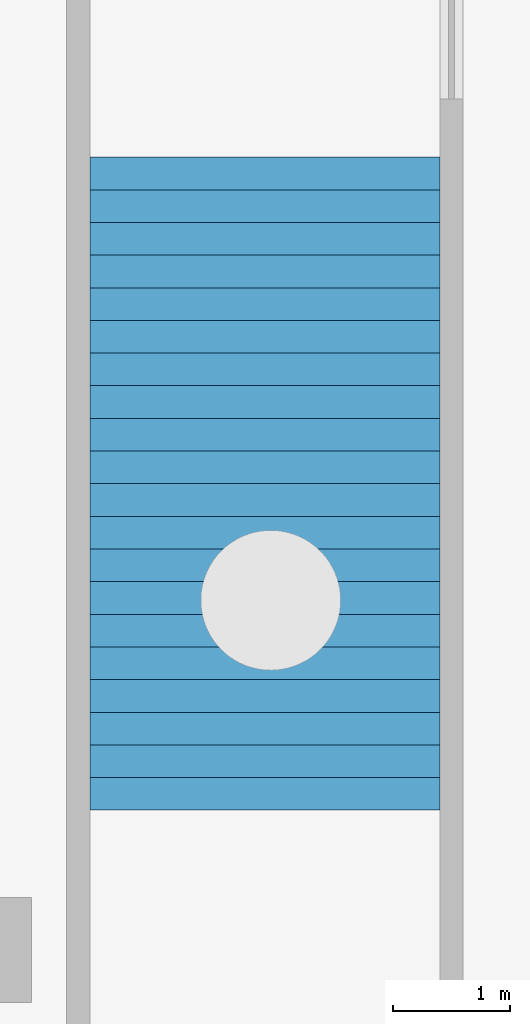
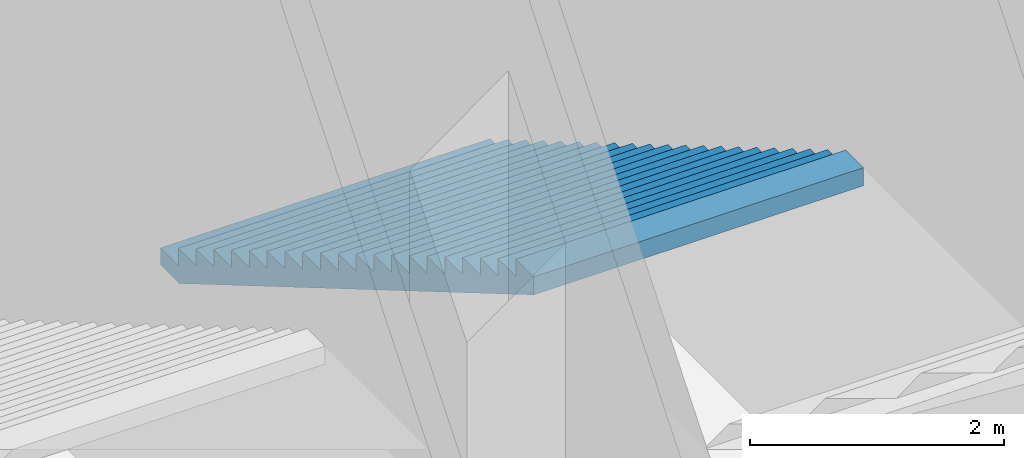
# One storey, part 14 of 16: 1 stair flight, 1 element without a shape of its own.
"""IFC4 building model written with IfcOpenShell, lengths in metres."""

from ifc_helpers import new_model, si_unit, direction, frame, origin, place, context, subcontext, project, spatial, faceted_brep, material, type_object, element, aggregate, save


model = new_model("IFC4")

# Units and contexts
model_context = context("Model", 3, precision=1e-05, world=origin(), true_north=direction((0.0, 1.0)))
body_context = subcontext(model_context, "Body", "Model", "MODEL_VIEW")
ifc_project = project(units=[si_unit("LENGTHUNIT", "METRE"), si_unit("AREAUNIT", "SQUARE_METRE"), si_unit("VOLUMEUNIT", "CUBIC_METRE"), si_unit("PLANEANGLEUNIT", "RADIAN"), si_unit("MASSUNIT", "GRAM", prefix="KILO")], contexts=[model_context])

# Site, building, storey
site_placement = place(None, origin())
site = spatial("IfcSite", under=ifc_project, at=site_placement, CompositionType="ELEMENT")
building_placement = place(site_placement, origin())
building = spatial("IfcBuilding", under=site, at=building_placement, Name="Ogive Plaza Stadium", CompositionType="ELEMENT")
storey_placement = place(building_placement, frame((0.0, 0.0, -11.39990234375)))
storey = spatial("IfcBuildingStorey", under=building, at=storey_placement, Name="B2", CompositionType="ELEMENT", Elevation=-11.39990234375)

# Stair, stair flight
ifc_material_1 = material(Name="Concrete C40/50", Category="concrete")
stair_type = type_object("IfcStairType", Name="Station stair 3000", PredefinedType="TWO_STRAIGHT_RUN_STAIR", material=ifc_material_1)
stair_placement = place(storey_placement, origin())
stair = element("IfcStair", 1, at=stair_placement, inside=storey, type_object=stair_type, Name="Stair PS4", PredefinedType="TWO_STRAIGHT_RUN_STAIR")
ifc_material_2 = material(Name="Concrete C40/50", Category="concrete")
stair_flight_type = type_object("IfcStairFlightType", Name="Station stair flight 3000", PredefinedType="STRAIGHT", material=ifc_material_2)
stair_flight_placement = place(storey_placement, frame((109.949951171875, 42.800048828125, 0.0), z_axis=(0.0, 0.0, 1.0), x_axis=(0.0, -1.0, 0.0)))
stair_flight = element("IfcStairFlight", 2, at=stair_flight_placement, type_object=stair_flight_type, Name="PS4 flight 1", NumberOfRisers=21, NumberOfTreads=20, PredefinedType="STRAIGHT", RiserHeight=0.164285714, TreadLength=0.28, context=body_context, shape_type="Brep", body=[
    faceted_brep([(0.296142578125, -1.5, 0.0), (5.8798828125, -1.5, 3.276123046875), (5.8798828125, -1.5, 3.449951171875), (5.60009765625, -1.5, 3.449951171875), (5.60009765625, -1.5, 3.28564453125), (5.320068359375, -1.5, 3.28564453125), (5.320068359375, -1.5, 3.121337890625), (5.0400390625, -1.5, 3.121337890625), (5.0400390625, -1.5, 2.95703125), (4.760009765625, -1.5, 2.95703125), (4.760009765625, -1.5, 2.79296875), (4.47998046875, -1.5, 2.79296875), (4.47998046875, -1.5, 2.628662109375), (4.199951171875, -1.5, 2.628662109375), (4.199951171875, -1.5, 2.46435546875), (3.919921875, -1.5, 2.46435546875), (3.919921875, -1.5, 2.300048828125), (3.639892578125, -1.5, 2.300048828125), (3.639892578125, -1.5, 2.1357421875), (3.360107421875, -1.5, 2.1357421875), (3.360107421875, -1.5, 1.971435546875), (3.080078125, -1.5, 1.971435546875), (3.080078125, -1.5, 1.80712890625), (2.800048828125, -1.5, 1.80712890625), (2.800048828125, -1.5, 1.642822265625), (2.52001953125, -1.5, 1.642822265625), (2.52001953125, -1.5, 1.478515625), (2.239990234375, -1.5, 1.478515625), (2.239990234375, -1.5, 1.314208984375), (1.9599609375, -1.5, 1.314208984375), (1.9599609375, -1.5, 1.14990234375), (1.679931640625, -1.5, 1.14990234375), (1.679931640625, -1.5, 0.985595703125), (1.39990234375, -1.5, 0.985595703125), (1.39990234375, -1.5, 0.821533203125), (1.1201171875, -1.5, 0.821533203125), (1.1201171875, -1.5, 0.6572265625), (0.840087890625, -1.5, 0.6572265625), (0.840087890625, -1.5, 0.492919921875), (0.56005859375, -1.5, 0.492919921875), (0.56005859375, -1.5, 0.32861328125), (0.280029296875, -1.5, 0.32861328125), (0.280029296875, -1.5, 0.164306640625), (0.0, -1.5, 0.164306640625), (0.0, -1.5, 0.0), (0.0, 1.5, 0.0), (0.0, 1.5, 0.164306640625), (0.280029296875, 1.5, 0.164306640625), (0.280029296875, 1.5, 0.32861328125), (0.56005859375, 1.5, 0.32861328125), (0.56005859375, 1.5, 0.492919921875), (0.840087890625, 1.5, 0.492919921875), (0.840087890625, 1.5, 0.6572265625), (1.1201171875, 1.5, 0.6572265625), (1.1201171875, 1.5, 0.821533203125), (1.39990234375, 1.5, 0.821533203125), (1.39990234375, 1.5, 0.985595703125), (1.679931640625, 1.5, 0.985595703125), (1.679931640625, 1.5, 1.14990234375), (1.9599609375, 1.5, 1.14990234375), (1.9599609375, 1.5, 1.314208984375), (2.239990234375, 1.5, 1.314208984375), (2.239990234375, 1.5, 1.478515625), (2.52001953125, 1.5, 1.478515625), (2.52001953125, 1.5, 1.642822265625), (2.800048828125, 1.5, 1.642822265625), (2.800048828125, 1.5, 1.80712890625), (3.080078125, 1.5, 1.80712890625), (3.080078125, 1.5, 1.971435546875), (3.360107421875, 1.5, 1.971435546875), (3.360107421875, 1.5, 2.1357421875), (3.639892578125, 1.5, 2.1357421875), (3.639892578125, 1.5, 2.300048828125), (3.919921875, 1.5, 2.300048828125), (3.919921875, 1.5, 2.46435546875), (4.199951171875, 1.5, 2.46435546875), (4.199951171875, 1.5, 2.628662109375), (4.47998046875, 1.5, 2.628662109375), (4.47998046875, 1.5, 2.79296875), (4.760009765625, 1.5, 2.79296875), (4.760009765625, 1.5, 2.95703125), (5.0400390625, 1.5, 2.95703125), (5.0400390625, 1.5, 3.121337890625), (5.320068359375, 1.5, 3.121337890625), (5.320068359375, 1.5, 3.28564453125), (5.60009765625, 1.5, 3.28564453125), (5.60009765625, 1.5, 3.449951171875), (5.8798828125, 1.5, 3.449951171875), (5.8798828125, 1.5, 3.276123046875), (0.296142578125, 1.5, 0.0), (0.296142578125, -1.166748046875, 0.0), (5.8798828125, -1.166748046875, 3.276123046875), (0.296142578125, -0.833251953125, 0.0), (5.8798828125, -0.833251953125, 3.276123046875), (0.296142578125, -0.5, 0.0), (5.8798828125, -0.5, 3.276123046875), (0.296142578125, -0.166748046875, 0.0), (5.8798828125, -0.166748046875, 3.276123046875), (0.296142578125, 0.166748046875, 0.0), (5.8798828125, 0.166748046875, 3.276123046875), (0.296142578125, 0.5, 0.0), (5.8798828125, 0.5, 3.276123046875), (0.296142578125, 0.833251953125, 0.0), (5.8798828125, 0.833251953125, 3.276123046875), (0.296142578125, 1.166748046875, 0.0), (5.8798828125, 1.166748046875, 3.276123046875), (5.8798828125, -1.166748046875, 3.449951171875), (5.8798828125, -0.833251953125, 3.449951171875), (5.8798828125, -0.5, 3.449951171875), (5.8798828125, -0.166748046875, 3.449951171875), (5.8798828125, 0.166748046875, 3.449951171875), (5.8798828125, 0.5, 3.449951171875), (5.8798828125, 0.833251953125, 3.449951171875), (5.8798828125, 1.166748046875, 3.449951171875), (5.60009765625, -1.166748046875, 3.449951171875), (5.60009765625, -0.833251953125, 3.449951171875), (5.60009765625, -0.5, 3.449951171875), (5.60009765625, -0.166748046875, 3.449951171875), (5.60009765625, 0.166748046875, 3.449951171875), (5.60009765625, 0.5, 3.449951171875), (5.60009765625, 0.833251953125, 3.449951171875), (5.60009765625, 1.166748046875, 3.449951171875), (5.60009765625, -1.166748046875, 3.28564453125), (5.60009765625, -0.833251953125, 3.28564453125), (5.60009765625, -0.5, 3.28564453125), (5.60009765625, -0.166748046875, 3.28564453125), (5.60009765625, 0.166748046875, 3.28564453125), (5.60009765625, 0.5, 3.28564453125), (5.60009765625, 0.833251953125, 3.28564453125), (5.60009765625, 1.166748046875, 3.28564453125), (5.320068359375, -1.166748046875, 3.28564453125), (5.320068359375, -0.833251953125, 3.28564453125), (5.320068359375, -0.5, 3.28564453125), (5.320068359375, -0.166748046875, 3.28564453125), (5.320068359375, 0.166748046875, 3.28564453125), (5.320068359375, 0.5, 3.28564453125), (5.320068359375, 0.833251953125, 3.28564453125), (5.320068359375, 1.166748046875, 3.28564453125), (5.320068359375, -1.166748046875, 3.121337890625), (5.320068359375, -0.833251953125, 3.121337890625), (5.320068359375, -0.5, 3.121337890625), (5.320068359375, -0.166748046875, 3.121337890625), (5.320068359375, 0.166748046875, 3.121337890625), (5.320068359375, 0.5, 3.121337890625), (5.320068359375, 0.833251953125, 3.121337890625), (5.320068359375, 1.166748046875, 3.121337890625), (5.0400390625, -1.166748046875, 3.121337890625), (5.0400390625, -0.833251953125, 3.121337890625), (5.0400390625, -0.5, 3.121337890625), (5.0400390625, -0.166748046875, 3.121337890625), (5.0400390625, 0.166748046875, 3.121337890625), (5.0400390625, 0.5, 3.121337890625), (5.0400390625, 0.833251953125, 3.121337890625), (5.0400390625, 1.166748046875, 3.121337890625), (5.0400390625, -1.166748046875, 2.95703125), (5.0400390625, -0.833251953125, 2.95703125), (5.0400390625, -0.5, 2.95703125), (5.0400390625, -0.166748046875, 2.95703125), (5.0400390625, 0.166748046875, 2.95703125), (5.0400390625, 0.5, 2.95703125), (5.0400390625, 0.833251953125, 2.95703125), (5.0400390625, 1.166748046875, 2.95703125), (4.760009765625, -1.166748046875, 2.95703125), (4.760009765625, -0.833251953125, 2.95703125), (4.760009765625, -0.5, 2.95703125), (4.760009765625, -0.166748046875, 2.95703125), (4.760009765625, 0.166748046875, 2.95703125), (4.760009765625, 0.5, 2.95703125), (4.760009765625, 0.833251953125, 2.95703125), (4.760009765625, 1.166748046875, 2.95703125), (4.760009765625, -1.166748046875, 2.79296875), (4.760009765625, -0.833251953125, 2.79296875), (4.760009765625, -0.5, 2.79296875), (4.760009765625, -0.166748046875, 2.79296875), (4.760009765625, 0.166748046875, 2.79296875), (4.760009765625, 0.5, 2.79296875), (4.760009765625, 0.833251953125, 2.79296875), (4.760009765625, 1.166748046875, 2.79296875), (4.47998046875, -1.166748046875, 2.79296875), (4.47998046875, -0.833251953125, 2.79296875), (4.47998046875, -0.5, 2.79296875), (4.47998046875, -0.166748046875, 2.79296875), (4.47998046875, 0.166748046875, 2.79296875), (4.47998046875, 0.5, 2.79296875), (4.47998046875, 0.833251953125, 2.79296875), (4.47998046875, 1.166748046875, 2.79296875), (4.47998046875, -1.166748046875, 2.628662109375), (4.47998046875, -0.833251953125, 2.628662109375), (4.47998046875, -0.5, 2.628662109375), (4.47998046875, -0.166748046875, 2.628662109375), (4.47998046875, 0.166748046875, 2.628662109375), (4.47998046875, 0.5, 2.628662109375), (4.47998046875, 0.833251953125, 2.628662109375), (4.47998046875, 1.166748046875, 2.628662109375), (4.199951171875, -1.166748046875, 2.628662109375), (4.199951171875, -0.833251953125, 2.628662109375), (4.199951171875, -0.5, 2.628662109375), (4.199951171875, -0.166748046875, 2.628662109375), (4.199951171875, 0.166748046875, 2.628662109375), (4.199951171875, 0.5, 2.628662109375), (4.199951171875, 0.833251953125, 2.628662109375), (4.199951171875, 1.166748046875, 2.628662109375), (4.199951171875, -1.166748046875, 2.46435546875), (4.199951171875, -0.833251953125, 2.46435546875), (4.199951171875, -0.5, 2.46435546875), (4.199951171875, -0.166748046875, 2.46435546875), (4.199951171875, 0.166748046875, 2.46435546875), (4.199951171875, 0.5, 2.46435546875), (4.199951171875, 0.833251953125, 2.46435546875), (4.199951171875, 1.166748046875, 2.46435546875), (3.919921875, -1.166748046875, 2.46435546875), (3.919921875, -0.833251953125, 2.46435546875), (3.919921875, -0.5, 2.46435546875), (3.919921875, -0.166748046875, 2.46435546875), (3.919921875, 0.166748046875, 2.46435546875), (3.919921875, 0.5, 2.46435546875), (3.919921875, 0.833251953125, 2.46435546875), (3.919921875, 1.166748046875, 2.46435546875), (3.919921875, -1.166748046875, 2.300048828125), (3.919921875, -0.833251953125, 2.300048828125), (3.919921875, -0.5, 2.300048828125), (3.919921875, -0.166748046875, 2.300048828125), (3.919921875, 0.166748046875, 2.300048828125), (3.919921875, 0.5, 2.300048828125), (3.919921875, 0.833251953125, 2.300048828125), (3.919921875, 1.166748046875, 2.300048828125), (3.639892578125, -1.166748046875, 2.300048828125), (3.639892578125, -0.833251953125, 2.300048828125), (3.639892578125, -0.5, 2.300048828125), (3.639892578125, -0.166748046875, 2.300048828125), (3.639892578125, 0.166748046875, 2.300048828125), (3.639892578125, 0.5, 2.300048828125), (3.639892578125, 0.833251953125, 2.300048828125), (3.639892578125, 1.166748046875, 2.300048828125), (3.639892578125, -1.166748046875, 2.1357421875), (3.639892578125, -0.833251953125, 2.1357421875), (3.639892578125, -0.5, 2.1357421875), (3.639892578125, -0.166748046875, 2.1357421875), (3.639892578125, 0.166748046875, 2.1357421875), (3.639892578125, 0.5, 2.1357421875), (3.639892578125, 0.833251953125, 2.1357421875), (3.639892578125, 1.166748046875, 2.1357421875), (3.360107421875, -1.166748046875, 2.1357421875), (3.360107421875, -0.833251953125, 2.1357421875), (3.360107421875, -0.5, 2.1357421875), (3.360107421875, -0.166748046875, 2.1357421875), (3.360107421875, 0.166748046875, 2.1357421875), (3.360107421875, 0.5, 2.1357421875), (3.360107421875, 0.833251953125, 2.1357421875), (3.360107421875, 1.166748046875, 2.1357421875), (3.360107421875, -1.166748046875, 1.971435546875), (3.360107421875, -0.833251953125, 1.971435546875), (3.360107421875, -0.5, 1.971435546875), (3.360107421875, -0.166748046875, 1.971435546875), (3.360107421875, 0.166748046875, 1.971435546875), (3.360107421875, 0.5, 1.971435546875), (3.360107421875, 0.833251953125, 1.971435546875), (3.360107421875, 1.166748046875, 1.971435546875), (3.080078125, -1.166748046875, 1.971435546875), (3.080078125, -0.833251953125, 1.971435546875), (3.080078125, -0.5, 1.971435546875), (3.080078125, -0.166748046875, 1.971435546875), (3.080078125, 0.166748046875, 1.971435546875), (3.080078125, 0.5, 1.971435546875), (3.080078125, 0.833251953125, 1.971435546875), (3.080078125, 1.166748046875, 1.971435546875), (3.080078125, -1.166748046875, 1.80712890625), (3.080078125, -0.833251953125, 1.80712890625), (3.080078125, -0.5, 1.80712890625), (3.080078125, -0.166748046875, 1.80712890625), (3.080078125, 0.166748046875, 1.80712890625), (3.080078125, 0.5, 1.80712890625), (3.080078125, 0.833251953125, 1.80712890625), (3.080078125, 1.166748046875, 1.80712890625), (2.800048828125, -1.166748046875, 1.80712890625), (2.800048828125, -0.833251953125, 1.80712890625), (2.800048828125, -0.5, 1.80712890625), (2.800048828125, -0.166748046875, 1.80712890625), (2.800048828125, 0.166748046875, 1.80712890625), (2.800048828125, 0.5, 1.80712890625), (2.800048828125, 0.833251953125, 1.80712890625), (2.800048828125, 1.166748046875, 1.80712890625), (2.800048828125, -1.166748046875, 1.642822265625), (2.800048828125, -0.833251953125, 1.642822265625), (2.800048828125, -0.5, 1.642822265625), (2.800048828125, -0.166748046875, 1.642822265625), (2.800048828125, 0.166748046875, 1.642822265625), (2.800048828125, 0.5, 1.642822265625), (2.800048828125, 0.833251953125, 1.642822265625), (2.800048828125, 1.166748046875, 1.642822265625), (2.52001953125, -1.166748046875, 1.642822265625), (2.52001953125, -0.833251953125, 1.642822265625), (2.52001953125, -0.5, 1.642822265625), (2.52001953125, -0.166748046875, 1.642822265625), (2.52001953125, 0.166748046875, 1.642822265625), (2.52001953125, 0.5, 1.642822265625), (2.52001953125, 0.833251953125, 1.642822265625), (2.52001953125, 1.166748046875, 1.642822265625), (2.52001953125, -1.166748046875, 1.478515625), (2.52001953125, -0.833251953125, 1.478515625), (2.52001953125, -0.5, 1.478515625), (2.52001953125, -0.166748046875, 1.478515625), (2.52001953125, 0.166748046875, 1.478515625), (2.52001953125, 0.5, 1.478515625), (2.52001953125, 0.833251953125, 1.478515625), (2.52001953125, 1.166748046875, 1.478515625), (2.239990234375, -1.166748046875, 1.478515625), (2.239990234375, -0.833251953125, 1.478515625), (2.239990234375, -0.5, 1.478515625), (2.239990234375, -0.166748046875, 1.478515625), (2.239990234375, 0.166748046875, 1.478515625), (2.239990234375, 0.5, 1.478515625), (2.239990234375, 0.833251953125, 1.478515625), (2.239990234375, 1.166748046875, 1.478515625), (2.239990234375, -1.166748046875, 1.314208984375), (2.239990234375, -0.833251953125, 1.314208984375), (2.239990234375, -0.5, 1.314208984375), (2.239990234375, -0.166748046875, 1.314208984375), (2.239990234375, 0.166748046875, 1.314208984375), (2.239990234375, 0.5, 1.314208984375), (2.239990234375, 0.833251953125, 1.314208984375), (2.239990234375, 1.166748046875, 1.314208984375), (1.9599609375, -1.166748046875, 1.314208984375), (1.9599609375, -0.833251953125, 1.314208984375), (1.9599609375, -0.5, 1.314208984375), (1.9599609375, -0.166748046875, 1.314208984375), (1.9599609375, 0.166748046875, 1.314208984375), (1.9599609375, 0.5, 1.314208984375), (1.9599609375, 0.833251953125, 1.314208984375), (1.9599609375, 1.166748046875, 1.314208984375), (1.9599609375, -1.166748046875, 1.14990234375), (1.9599609375, -0.833251953125, 1.14990234375), (1.9599609375, -0.5, 1.14990234375), (1.9599609375, -0.166748046875, 1.14990234375), (1.9599609375, 0.166748046875, 1.14990234375), (1.9599609375, 0.5, 1.14990234375), (1.9599609375, 0.833251953125, 1.14990234375), (1.9599609375, 1.166748046875, 1.14990234375), (1.679931640625, -1.166748046875, 1.14990234375), (1.679931640625, -0.833251953125, 1.14990234375), (1.679931640625, -0.5, 1.14990234375), (1.679931640625, -0.166748046875, 1.14990234375), (1.679931640625, 0.166748046875, 1.14990234375), (1.679931640625, 0.5, 1.14990234375), (1.679931640625, 0.833251953125, 1.14990234375), (1.679931640625, 1.166748046875, 1.14990234375), (1.679931640625, -1.166748046875, 0.985595703125), (1.679931640625, -0.833251953125, 0.985595703125), (1.679931640625, -0.5, 0.985595703125), (1.679931640625, -0.166748046875, 0.985595703125), (1.679931640625, 0.166748046875, 0.985595703125), (1.679931640625, 0.5, 0.985595703125), (1.679931640625, 0.833251953125, 0.985595703125), (1.679931640625, 1.166748046875, 0.985595703125), (1.39990234375, -1.166748046875, 0.985595703125), (1.39990234375, -0.833251953125, 0.985595703125), (1.39990234375, -0.5, 0.985595703125), (1.39990234375, -0.166748046875, 0.985595703125), (1.39990234375, 0.166748046875, 0.985595703125), (1.39990234375, 0.5, 0.985595703125), (1.39990234375, 0.833251953125, 0.985595703125), (1.39990234375, 1.166748046875, 0.985595703125), (1.39990234375, -1.166748046875, 0.821533203125), (1.39990234375, -0.833251953125, 0.821533203125), (1.39990234375, -0.5, 0.821533203125), (1.39990234375, -0.166748046875, 0.821533203125), (1.39990234375, 0.166748046875, 0.821533203125), (1.39990234375, 0.5, 0.821533203125), (1.39990234375, 0.833251953125, 0.821533203125), (1.39990234375, 1.166748046875, 0.821533203125), (1.1201171875, -1.166748046875, 0.821533203125), (1.1201171875, -0.833251953125, 0.821533203125), (1.1201171875, -0.5, 0.821533203125), (1.1201171875, -0.166748046875, 0.821533203125), (1.1201171875, 0.166748046875, 0.821533203125), (1.1201171875, 0.5, 0.821533203125), (1.1201171875, 0.833251953125, 0.821533203125), (1.1201171875, 1.166748046875, 0.821533203125), (1.1201171875, -1.166748046875, 0.6572265625), (1.1201171875, -0.833251953125, 0.6572265625), (1.1201171875, -0.5, 0.6572265625), (1.1201171875, -0.166748046875, 0.6572265625), (1.1201171875, 0.166748046875, 0.6572265625), (1.1201171875, 0.5, 0.6572265625), (1.1201171875, 0.833251953125, 0.6572265625), (1.1201171875, 1.166748046875, 0.6572265625), (0.840087890625, -1.166748046875, 0.6572265625), (0.840087890625, -0.833251953125, 0.6572265625), (0.840087890625, -0.5, 0.6572265625), (0.840087890625, -0.166748046875, 0.6572265625), (0.840087890625, 0.166748046875, 0.6572265625), (0.840087890625, 0.5, 0.6572265625), (0.840087890625, 0.833251953125, 0.6572265625), (0.840087890625, 1.166748046875, 0.6572265625), (0.840087890625, -1.166748046875, 0.492919921875), (0.840087890625, -0.833251953125, 0.492919921875), (0.840087890625, -0.5, 0.492919921875), (0.840087890625, -0.166748046875, 0.492919921875), (0.840087890625, 0.166748046875, 0.492919921875), (0.840087890625, 0.5, 0.492919921875), (0.840087890625, 0.833251953125, 0.492919921875), (0.840087890625, 1.166748046875, 0.492919921875), (0.56005859375, -1.166748046875, 0.492919921875), (0.56005859375, -0.833251953125, 0.492919921875), (0.56005859375, -0.5, 0.492919921875), (0.56005859375, -0.166748046875, 0.492919921875), (0.56005859375, 0.166748046875, 0.492919921875), (0.56005859375, 0.5, 0.492919921875), (0.56005859375, 0.833251953125, 0.492919921875), (0.56005859375, 1.166748046875, 0.492919921875), (0.56005859375, -1.166748046875, 0.32861328125), (0.56005859375, -0.833251953125, 0.32861328125), (0.56005859375, -0.5, 0.32861328125), (0.56005859375, -0.166748046875, 0.32861328125), (0.56005859375, 0.166748046875, 0.32861328125), (0.56005859375, 0.5, 0.32861328125), (0.56005859375, 0.833251953125, 0.32861328125), (0.56005859375, 1.166748046875, 0.32861328125), (0.280029296875, -1.166748046875, 0.32861328125), (0.280029296875, -0.833251953125, 0.32861328125), (0.280029296875, -0.5, 0.32861328125), (0.280029296875, -0.166748046875, 0.32861328125), (0.280029296875, 0.166748046875, 0.32861328125), (0.280029296875, 0.5, 0.32861328125), (0.280029296875, 0.833251953125, 0.32861328125), (0.280029296875, 1.166748046875, 0.32861328125), (0.280029296875, -1.166748046875, 0.164306640625), (0.280029296875, -0.833251953125, 0.164306640625), (0.280029296875, -0.5, 0.164306640625), (0.280029296875, -0.166748046875, 0.164306640625), (0.280029296875, 0.166748046875, 0.164306640625), (0.280029296875, 0.5, 0.164306640625), (0.280029296875, 0.833251953125, 0.164306640625), (0.280029296875, 1.166748046875, 0.164306640625), (0.0, -1.166748046875, 0.164306640625), (0.0, -0.833251953125, 0.164306640625), (0.0, -0.5, 0.164306640625), (0.0, -0.166748046875, 0.164306640625), (0.0, 0.166748046875, 0.164306640625), (0.0, 0.5, 0.164306640625), (0.0, 0.833251953125, 0.164306640625), (0.0, 1.166748046875, 0.164306640625), (0.0, -1.166748046875, 0.0), (0.0, -0.833251953125, 0.0), (0.0, -0.5, 0.0), (0.0, -0.166748046875, 0.0), (0.0, 0.166748046875, 0.0), (0.0, 0.5, 0.0), (0.0, 0.833251953125, 0.0), (0.0, 1.166748046875, 0.0)], [[[0, 1, 2, 3, 4, 5, 6, 7, 8, 9, 10, 11, 12, 13, 14, 15, 16, 17, 18, 19, 20, 21, 22, 23, 24, 25, 26, 27, 28, 29, 30, 31, 32, 33, 34, 35, 36, 37, 38, 39, 40, 41, 42, 43, 44]], [[45, 46, 47, 48, 49, 50, 51, 52, 53, 54, 55, 56, 57, 58, 59, 60, 61, 62, 63, 64, 65, 66, 67, 68, 69, 70, 71, 72, 73, 74, 75, 76, 77, 78, 79, 80, 81, 82, 83, 84, 85, 86, 87, 88, 89]], [[0, 90, 91, 1]], [[90, 92, 93, 91]], [[92, 94, 95, 93]], [[94, 96, 97, 95]], [[96, 98, 99, 97]], [[98, 100, 101, 99]], [[100, 102, 103, 101]], [[102, 104, 105, 103]], [[104, 89, 88, 105]], [[1, 91, 106, 2]], [[91, 93, 107, 106]], [[93, 95, 108, 107]], [[95, 97, 109, 108]], [[97, 99, 110, 109]], [[99, 101, 111, 110]], [[101, 103, 112, 111]], [[103, 105, 113, 112]], [[105, 88, 87, 113]], [[2, 106, 114, 3]], [[106, 107, 115, 114]], [[107, 108, 116, 115]], [[108, 109, 117, 116]], [[109, 110, 118, 117]], [[110, 111, 119, 118]], [[111, 112, 120, 119]], [[112, 113, 121, 120]], [[113, 87, 86, 121]], [[3, 114, 122, 4]], [[114, 115, 123, 122]], [[115, 116, 124, 123]], [[116, 117, 125, 124]], [[117, 118, 126, 125]], [[118, 119, 127, 126]], [[119, 120, 128, 127]], [[120, 121, 129, 128]], [[121, 86, 85, 129]], [[4, 122, 130, 5]], [[122, 123, 131, 130]], [[123, 124, 132, 131]], [[124, 125, 133, 132]], [[125, 126, 134, 133]], [[126, 127, 135, 134]], [[127, 128, 136, 135]], [[128, 129, 137, 136]], [[129, 85, 84, 137]], [[5, 130, 138, 6]], [[130, 131, 139, 138]], [[131, 132, 140, 139]], [[132, 133, 141, 140]], [[133, 134, 142, 141]], [[134, 135, 143, 142]], [[135, 136, 144, 143]], [[136, 137, 145, 144]], [[137, 84, 83, 145]], [[6, 138, 146, 7]], [[138, 139, 147, 146]], [[139, 140, 148, 147]], [[140, 141, 149, 148]], [[141, 142, 150, 149]], [[142, 143, 151, 150]], [[143, 144, 152, 151]], [[144, 145, 153, 152]], [[145, 83, 82, 153]], [[7, 146, 154, 8]], [[146, 147, 155, 154]], [[147, 148, 156, 155]], [[148, 149, 157, 156]], [[149, 150, 158, 157]], [[150, 151, 159, 158]], [[151, 152, 160, 159]], [[152, 153, 161, 160]], [[153, 82, 81, 161]], [[8, 154, 162, 9]], [[154, 155, 163, 162]], [[155, 156, 164, 163]], [[156, 157, 165, 164]], [[157, 158, 166, 165]], [[158, 159, 167, 166]], [[159, 160, 168, 167]], [[160, 161, 169, 168]], [[161, 81, 80, 169]], [[9, 162, 170, 10]], [[162, 163, 171, 170]], [[163, 164, 172, 171]], [[164, 165, 173, 172]], [[165, 166, 174, 173]], [[166, 167, 175, 174]], [[167, 168, 176, 175]], [[168, 169, 177, 176]], [[169, 80, 79, 177]], [[10, 170, 178, 11]], [[170, 171, 179, 178]], [[171, 172, 180, 179]], [[172, 173, 181, 180]], [[173, 174, 182, 181]], [[174, 175, 183, 182]], [[175, 176, 184, 183]], [[176, 177, 185, 184]], [[177, 79, 78, 185]], [[11, 178, 186, 12]], [[178, 179, 187, 186]], [[179, 180, 188, 187]], [[180, 181, 189, 188]], [[181, 182, 190, 189]], [[182, 183, 191, 190]], [[183, 184, 192, 191]], [[184, 185, 193, 192]], [[185, 78, 77, 193]], [[12, 186, 194, 13]], [[186, 187, 195, 194]], [[187, 188, 196, 195]], [[188, 189, 197, 196]], [[189, 190, 198, 197]], [[190, 191, 199, 198]], [[191, 192, 200, 199]], [[192, 193, 201, 200]], [[193, 77, 76, 201]], [[13, 194, 202, 14]], [[194, 195, 203, 202]], [[195, 196, 204, 203]], [[196, 197, 205, 204]], [[197, 198, 206, 205]], [[198, 199, 207, 206]], [[199, 200, 208, 207]], [[200, 201, 209, 208]], [[201, 76, 75, 209]], [[14, 202, 210, 15]], [[202, 203, 211, 210]], [[203, 204, 212, 211]], [[204, 205, 213, 212]], [[205, 206, 214, 213]], [[206, 207, 215, 214]], [[207, 208, 216, 215]], [[208, 209, 217, 216]], [[209, 75, 74, 217]], [[15, 210, 218, 16]], [[210, 211, 219, 218]], [[211, 212, 220, 219]], [[212, 213, 221, 220]], [[213, 214, 222, 221]], [[214, 215, 223, 222]], [[215, 216, 224, 223]], [[216, 217, 225, 224]], [[217, 74, 73, 225]], [[16, 218, 226, 17]], [[218, 219, 227, 226]], [[219, 220, 228, 227]], [[220, 221, 229, 228]], [[221, 222, 230, 229]], [[222, 223, 231, 230]], [[223, 224, 232, 231]], [[224, 225, 233, 232]], [[225, 73, 72, 233]], [[17, 226, 234, 18]], [[226, 227, 235, 234]], [[227, 228, 236, 235]], [[228, 229, 237, 236]], [[229, 230, 238, 237]], [[230, 231, 239, 238]], [[231, 232, 240, 239]], [[232, 233, 241, 240]], [[233, 72, 71, 241]], [[18, 234, 242, 19]], [[234, 235, 243, 242]], [[235, 236, 244, 243]], [[236, 237, 245, 244]], [[237, 238, 246, 245]], [[238, 239, 247, 246]], [[239, 240, 248, 247]], [[240, 241, 249, 248]], [[241, 71, 70, 249]], [[19, 242, 250, 20]], [[242, 243, 251, 250]], [[243, 244, 252, 251]], [[244, 245, 253, 252]], [[245, 246, 254, 253]], [[246, 247, 255, 254]], [[247, 248, 256, 255]], [[248, 249, 257, 256]], [[249, 70, 69, 257]], [[20, 250, 258, 21]], [[250, 251, 259, 258]], [[251, 252, 260, 259]], [[252, 253, 261, 260]], [[253, 254, 262, 261]], [[254, 255, 263, 262]], [[255, 256, 264, 263]], [[256, 257, 265, 264]], [[257, 69, 68, 265]], [[21, 258, 266, 22]], [[258, 259, 267, 266]], [[259, 260, 268, 267]], [[260, 261, 269, 268]], [[261, 262, 270, 269]], [[262, 263, 271, 270]], [[263, 264, 272, 271]], [[264, 265, 273, 272]], [[265, 68, 67, 273]], [[22, 266, 274, 23]], [[266, 267, 275, 274]], [[267, 268, 276, 275]], [[268, 269, 277, 276]], [[269, 270, 278, 277]], [[270, 271, 279, 278]], [[271, 272, 280, 279]], [[272, 273, 281, 280]], [[273, 67, 66, 281]], [[23, 274, 282, 24]], [[274, 275, 283, 282]], [[275, 276, 284, 283]], [[276, 277, 285, 284]], [[277, 278, 286, 285]], [[278, 279, 287, 286]], [[279, 280, 288, 287]], [[280, 281, 289, 288]], [[281, 66, 65, 289]], [[24, 282, 290, 25]], [[282, 283, 291, 290]], [[283, 284, 292, 291]], [[284, 285, 293, 292]], [[285, 286, 294, 293]], [[286, 287, 295, 294]], [[287, 288, 296, 295]], [[288, 289, 297, 296]], [[289, 65, 64, 297]], [[25, 290, 298, 26]], [[290, 291, 299, 298]], [[291, 292, 300, 299]], [[292, 293, 301, 300]], [[293, 294, 302, 301]], [[294, 295, 303, 302]], [[295, 296, 304, 303]], [[296, 297, 305, 304]], [[297, 64, 63, 305]], [[26, 298, 306, 27]], [[298, 299, 307, 306]], [[299, 300, 308, 307]], [[300, 301, 309, 308]], [[301, 302, 310, 309]], [[302, 303, 311, 310]], [[303, 304, 312, 311]], [[304, 305, 313, 312]], [[305, 63, 62, 313]], [[27, 306, 314, 28]], [[306, 307, 315, 314]], [[307, 308, 316, 315]], [[308, 309, 317, 316]], [[309, 310, 318, 317]], [[310, 311, 319, 318]], [[311, 312, 320, 319]], [[312, 313, 321, 320]], [[313, 62, 61, 321]], [[28, 314, 322, 29]], [[314, 315, 323, 322]], [[315, 316, 324, 323]], [[316, 317, 325, 324]], [[317, 318, 326, 325]], [[318, 319, 327, 326]], [[319, 320, 328, 327]], [[320, 321, 329, 328]], [[321, 61, 60, 329]], [[29, 322, 330, 30]], [[322, 323, 331, 330]], [[323, 324, 332, 331]], [[324, 325, 333, 332]], [[325, 326, 334, 333]], [[326, 327, 335, 334]], [[327, 328, 336, 335]], [[328, 329, 337, 336]], [[329, 60, 59, 337]], [[30, 330, 338, 31]], [[330, 331, 339, 338]], [[331, 332, 340, 339]], [[332, 333, 341, 340]], [[333, 334, 342, 341]], [[334, 335, 343, 342]], [[335, 336, 344, 343]], [[336, 337, 345, 344]], [[337, 59, 58, 345]], [[31, 338, 346, 32]], [[338, 339, 347, 346]], [[339, 340, 348, 347]], [[340, 341, 349, 348]], [[341, 342, 350, 349]], [[342, 343, 351, 350]], [[343, 344, 352, 351]], [[344, 345, 353, 352]], [[345, 58, 57, 353]], [[32, 346, 354, 33]], [[346, 347, 355, 354]], [[347, 348, 356, 355]], [[348, 349, 357, 356]], [[349, 350, 358, 357]], [[350, 351, 359, 358]], [[351, 352, 360, 359]], [[352, 353, 361, 360]], [[353, 57, 56, 361]], [[33, 354, 362, 34]], [[354, 355, 363, 362]], [[355, 356, 364, 363]], [[356, 357, 365, 364]], [[357, 358, 366, 365]], [[358, 359, 367, 366]], [[359, 360, 368, 367]], [[360, 361, 369, 368]], [[361, 56, 55, 369]], [[34, 362, 370, 35]], [[362, 363, 371, 370]], [[363, 364, 372, 371]], [[364, 365, 373, 372]], [[365, 366, 374, 373]], [[366, 367, 375, 374]], [[367, 368, 376, 375]], [[368, 369, 377, 376]], [[369, 55, 54, 377]], [[35, 370, 378, 36]], [[370, 371, 379, 378]], [[371, 372, 380, 379]], [[372, 373, 381, 380]], [[373, 374, 382, 381]], [[374, 375, 383, 382]], [[375, 376, 384, 383]], [[376, 377, 385, 384]], [[377, 54, 53, 385]], [[36, 378, 386, 37]], [[378, 379, 387, 386]], [[379, 380, 388, 387]], [[380, 381, 389, 388]], [[381, 382, 390, 389]], [[382, 383, 391, 390]], [[383, 384, 392, 391]], [[384, 385, 393, 392]], [[385, 53, 52, 393]], [[37, 386, 394, 38]], [[386, 387, 395, 394]], [[387, 388, 396, 395]], [[388, 389, 397, 396]], [[389, 390, 398, 397]], [[390, 391, 399, 398]], [[391, 392, 400, 399]], [[392, 393, 401, 400]], [[393, 52, 51, 401]], [[38, 394, 402, 39]], [[394, 395, 403, 402]], [[395, 396, 404, 403]], [[396, 397, 405, 404]], [[397, 398, 406, 405]], [[398, 399, 407, 406]], [[399, 400, 408, 407]], [[400, 401, 409, 408]], [[401, 51, 50, 409]], [[39, 402, 410, 40]], [[402, 403, 411, 410]], [[403, 404, 412, 411]], [[404, 405, 413, 412]], [[405, 406, 414, 413]], [[406, 407, 415, 414]], [[407, 408, 416, 415]], [[408, 409, 417, 416]], [[409, 50, 49, 417]], [[40, 410, 418, 41]], [[410, 411, 419, 418]], [[411, 412, 420, 419]], [[412, 413, 421, 420]], [[413, 414, 422, 421]], [[414, 415, 423, 422]], [[415, 416, 424, 423]], [[416, 417, 425, 424]], [[417, 49, 48, 425]], [[41, 418, 426, 42]], [[418, 419, 427, 426]], [[419, 420, 428, 427]], [[420, 421, 429, 428]], [[421, 422, 430, 429]], [[422, 423, 431, 430]], [[423, 424, 432, 431]], [[424, 425, 433, 432]], [[425, 48, 47, 433]], [[42, 426, 434, 43]], [[426, 427, 435, 434]], [[427, 428, 436, 435]], [[428, 429, 437, 436]], [[429, 430, 438, 437]], [[430, 431, 439, 438]], [[431, 432, 440, 439]], [[432, 433, 441, 440]], [[433, 47, 46, 441]], [[43, 434, 442, 44]], [[434, 435, 443, 442]], [[435, 436, 444, 443]], [[436, 437, 445, 444]], [[437, 438, 446, 445]], [[438, 439, 447, 446]], [[439, 440, 448, 447]], [[440, 441, 449, 448]], [[441, 46, 45, 449]], [[44, 442, 90, 0]], [[442, 443, 92, 90]], [[443, 444, 94, 92]], [[444, 445, 96, 94]], [[445, 446, 98, 96]], [[446, 447, 100, 98]], [[447, 448, 102, 100]], [[448, 449, 104, 102]], [[449, 45, 89, 104]]]),
])
aggregate(stair, [stair_flight])

save(model, "model.ifc")
